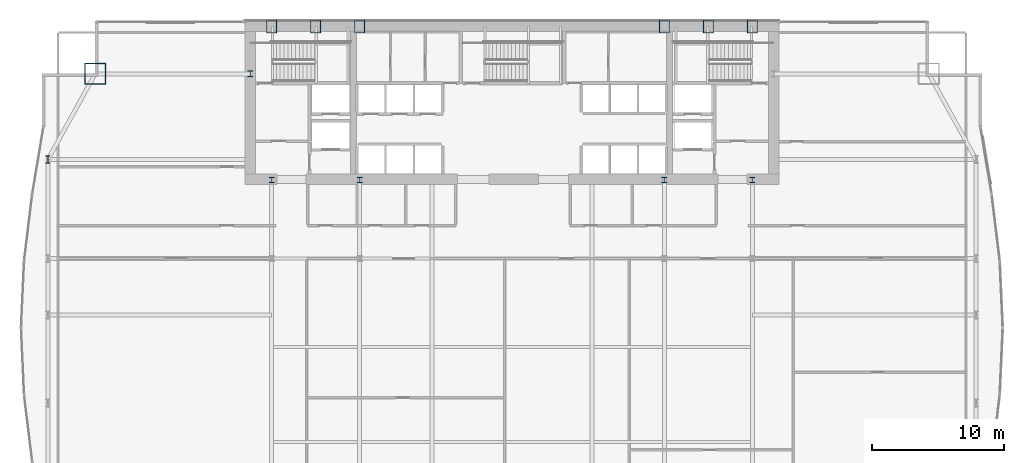
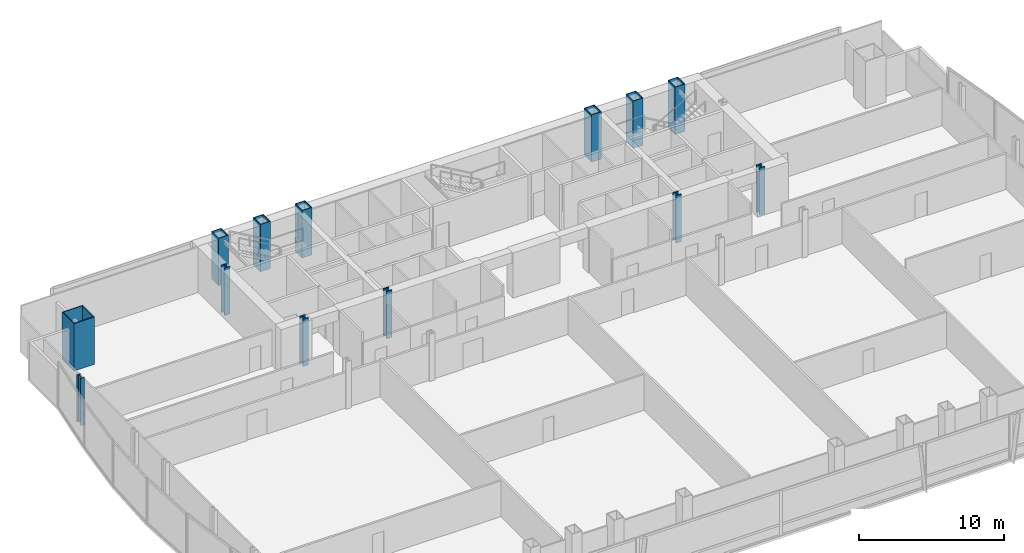
# One storey, part 3 of 32: 13 columns.
"""IFC4 building model written with IfcOpenShell, lengths in metres."""

from ifc_helpers import new_model, si_unit, direction, frame, origin, origin_2d, place, context, subcontext, project, spatial, hollow_rectangle, i_section, extrude, material, material_profile, profile_set, type_object, element, save


model = new_model("IFC4")

# Units and contexts
model_context = context("Model", 3, precision=1e-05, world=origin(), true_north=direction((0.0, 1.0)))
body_context = subcontext(model_context, "Body", "Model", "MODEL_VIEW")
ifc_project = project(units=[si_unit("LENGTHUNIT", "METRE"), si_unit("AREAUNIT", "SQUARE_METRE"), si_unit("VOLUMEUNIT", "CUBIC_METRE"), si_unit("PLANEANGLEUNIT", "RADIAN"), si_unit("MASSUNIT", "GRAM", prefix="KILO")], contexts=[model_context])

# Site, building, storey
site_placement = place(None, origin())
site = spatial("IfcSite", under=ifc_project, at=site_placement, CompositionType="ELEMENT")
building_placement = place(site_placement, origin())
building = spatial("IfcBuilding", under=site, at=building_placement, Name="Khoronbel Lancet Exchange", CompositionType="ELEMENT")
storey_placement = place(building_placement, frame((0.0, 0.0, 41.800048828125)))
storey = spatial("IfcBuildingStorey", under=building, at=storey_placement, Name="L09", CompositionType="ELEMENT", Elevation=41.800048828125)

# Columns
ifc_material_1 = material(Name="Steel S460", Category="steel")
ifc_material_profile_1 = material_profile(ifc_material_1, hollow_rectangle(XDim=0.800048828125, YDim=1.0, WallThickness=0.054931640625, at=origin_2d()), Name="BOX 1000x800x55")
ifc_profile_set_1 = profile_set([ifc_material_profile_1], Name="Steel S460")
column_type_1 = type_object("IfcColumnType", Name="COL-EC1", PredefinedType="COLUMN", material=ifc_profile_set_1)
for number, where, z_axis, x_axis, name in (
    (1, (18.22509765625, 53.280029296875, 0.0), (0.0, 0.0, 1.0), (1.0, 0.0, 0.0), "Structural column NC-W1 L09"),
    (2, (21.5625, 53.280029296875, 0.0), (0.0, 0.0, 1.0), (1.0, 0.0, 0.0), "Structural column NC-WM L09"),
    (3, (24.89990234375, 53.280029296875, 0.0), (0.0, 0.0, 1.0), (1.0, 0.0, 0.0), "Structural column NC-W2 L09"),
    (4, (48.0, 53.280029296875, 0.0), (0.0, 0.0, 1.0), (1.0, 0.0, 0.0), "Structural column NC-E1 L09"),
    (5, (51.33740234375, 53.280029296875, 0.0), (0.0, 0.0, 1.0), (1.0, 0.0, 0.0), "Structural column NC-EM L09"),
    (6, (54.675048828125, 53.280029296875, 0.0), (0.0, 0.0, 1.0), (1.0, 0.0, 0.0), "Structural column NC-E2 L09"),
):
    element("IfcColumn", number, at=place(storey_placement, frame(where, z_axis=z_axis, x_axis=x_axis)), inside=storey, type_object=column_type_1, Name=name, PredefinedType="COLUMN", context=body_context, shape_type="SweptSolid", body=[
        extrude(hollow_rectangle(XDim=0.800048828125, YDim=1.0, WallThickness=0.054931640625, at=origin_2d()), origin(), (0.0, 0.0, 1.0), 4.0),
    ])
ifc_material_profile_2 = material_profile(ifc_material_1, i_section(OverallWidth=0.424072265625, OverallDepth=0.47412109375, WebThickness=0.047607421875, FlangeThickness=0.076904296875, at=origin_2d()), Name="HD 400x634")
ifc_profile_set_2 = profile_set([ifc_material_profile_2], Name="Steel S460")
column_type_2 = type_object("IfcColumnType", Name="COL-IC1", PredefinedType="COLUMN", material=ifc_profile_set_2)
for number, where, z_axis, x_axis, name in (
    (7, (16.60009765625, 49.699951171875, 0.0), (0.0, 0.0, 1.0), (1.0, 0.0, 0.0), "Core-flank plumb transfer column CFW L09"),
    (8, (18.22509765625, 41.64990234375, 0.0), (0.0, 0.0, 1.0), (1.0, 0.0, 0.0), "Core-embedded steel column CTC1 L09"),
    (9, (24.89990234375, 41.64990234375, 0.0), (0.0, 0.0, 1.0), (1.0, 0.0, 0.0), "Core-embedded steel column CTC2 L09"),
    (10, (48.0, 41.64990234375, 0.0), (0.0, 0.0, 1.0), (1.0, 0.0, 0.0), "Core-embedded steel column CTC3 L09"),
    (11, (54.675048828125, 41.64990234375, 0.0), (0.0, 0.0, 1.0), (1.0, 0.0, 0.0), "Core-embedded steel column CTC4 L09"),
):
    element("IfcColumn", number, at=place(storey_placement, frame(where, z_axis=z_axis, x_axis=x_axis)), inside=storey, type_object=column_type_2, Name=name, PredefinedType="COLUMN", context=body_context, shape_type="SweptSolid", body=[
        extrude(i_section(OverallWidth=0.424072265625, OverallDepth=0.47412109375, WebThickness=0.047607421875, FlangeThickness=0.076904296875, at=origin_2d()), origin(), (0.0, 0.0, 1.0), 4.0),
    ])
ifc_material_2 = material(Name="Steel S355", Category="steel")
ifc_material_profile_3 = material_profile(ifc_material_2, i_section(OverallWidth=0.300048828125, OverallDepth=0.550048828125, WebThickness=0.014892578125, FlangeThickness=0.029052734375, at=origin_2d()), Name="HEB 550")
ifc_profile_set_3 = profile_set([ifc_material_profile_3], Name="Steel S355")
column_type_3 = type_object("IfcColumnType", Name="COL-LC1", PredefinedType="COLUMN", material=ifc_profile_set_3)
column_1_placement = place(storey_placement, frame((1.27001953125, 43.199951171875, 0.0), z_axis=(0.0, 0.0, 1.0), x_axis=(1.0, 0.0, 0.0)))
element("IfcColumn", 12, at=column_1_placement, inside=storey, type_object=column_type_3, Name="Structural column WC-4 L09", PredefinedType="COLUMN", context=body_context, shape_type="SweptSolid", body=[
    extrude(i_section(OverallWidth=0.300048828125, OverallDepth=0.550048828125, WebThickness=0.014892578125, FlangeThickness=0.029052734375, at=origin_2d()), origin(), (0.0, 0.0, 1.0), 4.0),
])
ifc_material_profile_4 = material_profile(ifc_material_1, hollow_rectangle(XDim=1.64990234375, YDim=1.64990234375, WallThickness=0.074951171875, at=origin_2d()), Name="BOX 1650x1650x75")
ifc_profile_set_4 = profile_set([ifc_material_profile_4], Name="Steel S460")
column_type_4 = type_object("IfcColumnType", Name="COL-MC2", PredefinedType="COLUMN", material=ifc_profile_set_4)
column_2_placement = place(storey_placement, frame((4.85009765625, 49.699951171875, 0.0), z_axis=(0.0, 0.0, 1.0), x_axis=(1.0, 0.0, 0.0)))
element("IfcColumn", 13, at=column_2_placement, inside=storey, type_object=column_type_4, Name="Structural column MC-NW L09", PredefinedType="COLUMN", context=body_context, shape_type="SweptSolid", body=[
    extrude(hollow_rectangle(XDim=1.64990234375, YDim=1.64990234375, WallThickness=0.074951171875, at=origin_2d()), origin(), (0.0, 0.0, 1.0), 4.0),
])

save(model, "model.ifc")
